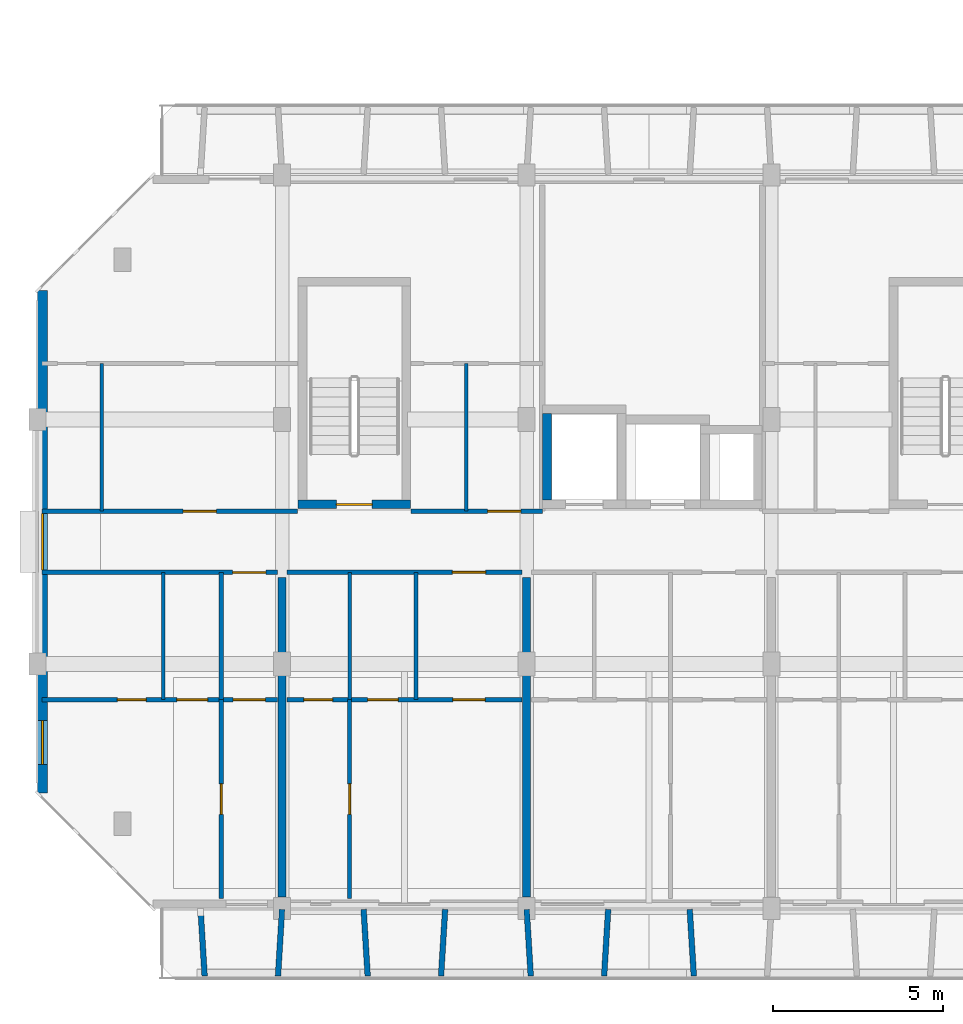
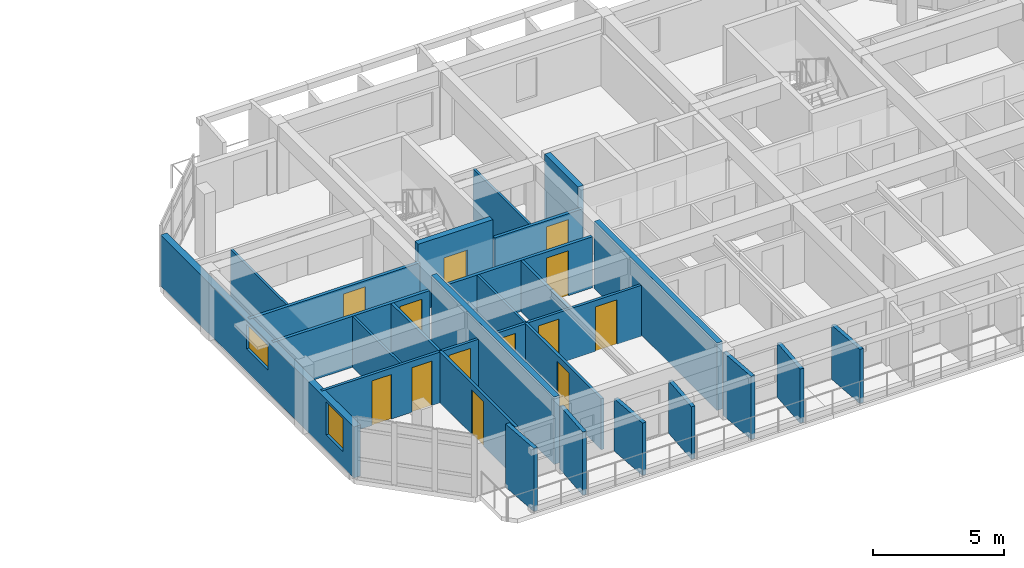
# One storey, part 14 of 43: 26 walls, 13 doors, 2 windows, 15 openings.
"""IFC4 building model written with IfcOpenShell, lengths in metres."""

from ifc_helpers import new_model, si_unit, direction, frame, frame_2d, origin, place, context, subcontext, project, spatial, rectangle, extrude, material, layer, layer_set, type_object, element, fill, save


model = new_model("IFC4")

# Units and contexts
model_context = context("Model", 3, precision=1e-05, world=origin(), true_north=direction((0.0, 1.0)))
body_context = subcontext(model_context, "Body", "Model", "MODEL_VIEW")
ifc_project = project(units=[si_unit("LENGTHUNIT", "METRE"), si_unit("AREAUNIT", "SQUARE_METRE"), si_unit("VOLUMEUNIT", "CUBIC_METRE"), si_unit("PLANEANGLEUNIT", "RADIAN"), si_unit("MASSUNIT", "GRAM", prefix="KILO")], contexts=[model_context])

# Site, building, storey
site_placement = place(None, origin())
site = spatial("IfcSite", under=ifc_project, at=site_placement, CompositionType="ELEMENT")
building_placement = place(site_placement, origin())
building = spatial("IfcBuilding", under=site, at=building_placement, Name="Ochrevale Crest", CompositionType="ELEMENT")
storey_placement = place(building_placement, frame((0.0, 0.0, 15.0)))
storey = spatial("IfcBuildingStorey", under=building, at=storey_placement, Name="L04", CompositionType="ELEMENT", Elevation=15.0)

# Wall, opening, door
ifc_material_1 = material(Name="Gypsum plasterboard", Category="gypsum")
ifc_layer_1 = layer(ifc_material_1, 0.139892578125)
ifc_layer_set_1 = layer_set([ifc_layer_1], Name="Gypsum plasterboard")
wall_type_1 = type_object("IfcWallType", Name="WL-COR-140", PredefinedType="PARTITIONING", material=ifc_layer_set_1)
wall_1_placement = place(storey_placement, frame((0.139892578125, 24.300048828125, 0.0), z_axis=(0.0, 0.0, 1.0), x_axis=(1.0, 0.0, 0.0)))
wall_1 = element("IfcWall", 1, at=wall_1_placement, inside=storey, type_object=wall_type_1, Name="Apartment A-L04-U1 corridor wall", PredefinedType="PARTITIONING", context=body_context, shape_type="SweptSolid", body=[
    extrude(rectangle(XDim=6.920166015625, YDim=0.139892578125, at=frame_2d((3.4599609375, 0.0))), origin(), (0.0, 0.0, 1.0), 2.3798828125),
])
opening_1_placement = place(wall_1_placement, frame((5.60498046875, 0.0, 0.0)))
opening_1 = element("IfcOpeningElement", 2, at=opening_1_placement, cuts=wall_1, Name="Opening FD01", PredefinedType="OPENING", context=body_context, shape_type="SweptSolid", body=[
    extrude(rectangle(XDim=0.97998046875, YDim=2.10009765625, at=frame_2d((0.489990234375, 1.050048828125))), frame((0.0, 0.080078125, 0.0), z_axis=(0.0, -1.0, 0.0), x_axis=(1.0, 0.0, 0.0)), (0.0, 0.0, 1.0), 0.159912109375),
])
ifc_material_2 = material(Name="Solid-core FSC hardwood", Category="wood")
door_type_1 = type_object("IfcDoorType", Name="DR-APT-950", OperationType="NOTDEFINED", PredefinedType="DOOR", material=ifc_material_2)
door_1_placement = place(opening_1_placement, origin())
door_1 = element("IfcDoor", 3, at=door_1_placement, inside=storey, type_object=door_type_1, Name="Apartment A-L04-U1 entrance door", OperationType="SINGLE_SWING_LEFT", OverallHeight=2.10009765625, OverallWidth=0.97998046875, PredefinedType="DOOR", context=body_context, shape_type="SweptSolid", body=[
    extrude(rectangle(XDim=0.97998046875, YDim=2.10009765625, at=frame_2d((0.489990234375, 1.050048828125))), frame((0.0, 0.02490234375, 0.0), z_axis=(0.0, -1.0, 0.0), x_axis=(1.0, 0.0, 0.0)), (0.0, 0.0, 1.0), 0.050048828125),
])
fill(opening_1, door_1)

wall_2_placement = place(storey_placement, frame((7.340087890625, 24.300048828125, 0.0), z_axis=(0.0, 0.0, 1.0), x_axis=(1.0, 0.0, 0.0)))
wall_2 = element("IfcWall", 4, at=wall_2_placement, inside=storey, type_object=wall_type_1, Name="Apartment A-L04-U2 corridor wall", PredefinedType="PARTITIONING", context=body_context, shape_type="SweptSolid", body=[
    extrude(rectangle(XDim=6.919921875, YDim=0.139892578125, at=frame_2d((3.4599609375, 0.0))), origin(), (0.0, 0.0, 1.0), 2.3798828125),
])
opening_2_placement = place(wall_2_placement, frame((5.85009765625, 0.0, 0.0), z_axis=(0.0, 0.0, 1.0), x_axis=(-1.0, 0.0, 0.0)))
opening_2 = element("IfcOpeningElement", 5, at=opening_2_placement, cuts=wall_2, Name="Opening FD01", PredefinedType="OPENING", context=body_context, shape_type="SweptSolid", body=[
    extrude(rectangle(XDim=0.97998046875, YDim=2.10009765625, at=frame_2d((0.489990234375, 1.050048828125))), frame((0.0, 0.080078125, 0.0), z_axis=(0.0, -1.0, 0.0), x_axis=(1.0, 0.0, 0.0)), (0.0, 0.0, 1.0), 0.159912109375),
])
door_2_placement = place(opening_2_placement, origin())
door_2 = element("IfcDoor", 6, at=door_2_placement, inside=storey, type_object=door_type_1, Name="Apartment A-L04-U2 entrance door", OperationType="SINGLE_SWING_RIGHT", OverallHeight=2.10009765625, OverallWidth=0.97998046875, PredefinedType="DOOR", context=body_context, shape_type="SweptSolid", body=[
    extrude(rectangle(XDim=0.97998046875, YDim=2.10009765625, at=frame_2d((0.489990234375, 1.050048828125))), frame((0.0, 0.02490234375, 0.0), z_axis=(0.0, -1.0, 0.0), x_axis=(1.0, 0.0, 0.0)), (0.0, 0.0, 1.0), 0.050048828125),
])
fill(opening_2, door_2)

wall_3_placement = place(storey_placement, frame((0.139892578125, 26.10009765625, 0.0), z_axis=(0.0, 0.0, 1.0), x_axis=(1.0, 0.0, 0.0)))
wall_3 = element("IfcWall", 7, at=wall_3_placement, inside=storey, type_object=wall_type_1, Name="Suite A-L04-CW corridor wall", PredefinedType="PARTITIONING", context=body_context, shape_type="SweptSolid", body=[
    extrude(rectangle(XDim=7.52001953125, YDim=0.139892578125, at=frame_2d((3.760009765625, 0.0))), origin(), (0.0, 0.0, 1.0), 2.3798828125),
])
opening_3_placement = place(wall_3_placement, frame((5.125, 0.0, 0.0), z_axis=(0.0, 0.0, 1.0), x_axis=(-1.0, 0.0, 0.0)))
opening_3 = element("IfcOpeningElement", 8, at=opening_3_placement, cuts=wall_3, Name="Opening FD01", PredefinedType="OPENING", context=body_context, shape_type="SweptSolid", body=[
    extrude(rectangle(XDim=0.97998046875, YDim=2.10009765625, at=frame_2d((0.489990234375, 1.050048828125))), frame((0.0, 0.080078125, 0.0), z_axis=(0.0, -1.0, 0.0), x_axis=(1.0, 0.0, 0.0)), (0.0, 0.0, 1.0), 0.159912109375),
])
door_3_placement = place(opening_3_placement, origin())
door_3 = element("IfcDoor", 9, at=door_3_placement, inside=storey, type_object=door_type_1, Name="Suite A-L04-CW entrance door", OperationType="SINGLE_SWING_RIGHT", OverallHeight=2.10009765625, OverallWidth=0.97998046875, PredefinedType="DOOR", context=body_context, shape_type="SweptSolid", body=[
    extrude(rectangle(XDim=0.97998046875, YDim=2.10009765625, at=frame_2d((0.489990234375, 1.050048828125))), frame((0.0, 0.02490234375, 0.0), z_axis=(0.0, -1.0, 0.0), x_axis=(1.0, 0.0, 0.0)), (0.0, 0.0, 1.0), 0.050048828125),
])
fill(opening_3, door_3)

wall_4_placement = place(storey_placement, frame((10.989990234375, 26.10009765625, 0.0), z_axis=(0.0, 0.0, 1.0), x_axis=(1.0, 0.0, 0.0)))
wall_4 = element("IfcWall", 10, at=wall_4_placement, inside=storey, type_object=wall_type_1, Name="Suite A-L04-MW corridor wall", PredefinedType="PARTITIONING", context=body_context, shape_type="SweptSolid", body=[
    extrude(rectangle(XDim=3.8701171875, YDim=0.139892578125, at=frame_2d((1.93505859375, 0.0))), origin(), (0.0, 0.0, 1.0), 2.3798828125),
])
opening_4_placement = place(wall_4_placement, frame((2.2578125, 0.0, 0.0)))
opening_4 = element("IfcOpeningElement", 11, at=opening_4_placement, cuts=wall_4, Name="Opening FD01", PredefinedType="OPENING", context=body_context, shape_type="SweptSolid", body=[
    extrude(rectangle(XDim=0.97998046875, YDim=2.10009765625, at=frame_2d((0.489990234375, 1.050048828125))), frame((0.0, 0.080078125, 0.0), z_axis=(0.0, -1.0, 0.0), x_axis=(1.0, 0.0, 0.0)), (0.0, 0.0, 1.0), 0.159912109375),
])
door_4_placement = place(opening_4_placement, origin())
door_4 = element("IfcDoor", 12, at=door_4_placement, inside=storey, type_object=door_type_1, Name="Suite A-L04-MW entrance door", OperationType="SINGLE_SWING_LEFT", OverallHeight=2.10009765625, OverallWidth=0.97998046875, PredefinedType="DOOR", context=body_context, shape_type="SweptSolid", body=[
    extrude(rectangle(XDim=0.97998046875, YDim=2.10009765625, at=frame_2d((0.489990234375, 1.050048828125))), frame((0.0, 0.02490234375, 0.0), z_axis=(0.0, -1.0, 0.0), x_axis=(1.0, 0.0, 0.0)), (0.0, 0.0, 1.0), 0.050048828125),
])
fill(opening_4, door_4)

ifc_material_3 = material(Name="Precast concrete C50/60", Category="concrete")
ifc_layer_2 = layer(ifc_material_3, 0.2548828125)
ifc_layer_set_2 = layer_set([ifc_layer_2], Name="Precast concrete C50/60")
wall_type_2 = type_object("IfcWallType", Name="WL-CORE-255", PredefinedType="SHEAR", material=ifc_layer_set_2)
wall_5_placement = place(storey_placement, frame((7.672607421875, 26.300048828125, 0.0), z_axis=(0.0, 0.0, 1.0), x_axis=(1.0, 0.0, 0.0)))
wall_5 = element("IfcWall", 13, at=wall_5_placement, inside=storey, type_object=wall_type_2, Name="Block A L04 Stair 1 precast core shear wall S", PredefinedType="SHEAR", context=body_context, shape_type="SweptSolid", body=[
    extrude(rectangle(XDim=3.304931640625, YDim=0.2548828125, at=frame_2d((1.65234375, 0.0))), origin(), (0.0, 0.0, 1.0), 3.14990234375),
])
opening_5_placement = place(wall_5_placement, frame((2.177490234375, 0.0, 0.0), z_axis=(0.0, 0.0, 1.0), x_axis=(-1.0, 0.0, 0.0)))
opening_5 = element("IfcOpeningElement", 14, at=opening_5_placement, cuts=wall_5, Name="Opening FD03", PredefinedType="OPENING", context=body_context, shape_type="SweptSolid", body=[
    extrude(rectangle(XDim=1.050048828125, YDim=2.1201171875, at=frame_2d((0.52490234375, 1.06005859375))), frame((0.0, 0.137451171875, 0.0), z_axis=(0.0, -1.0, 0.0), x_axis=(1.0, 0.0, 0.0)), (0.0, 0.0, 1.0), 0.27490234375),
])
door_type_2 = type_object("IfcDoorType", Name="DR-ST-1050", OperationType="NOTDEFINED", PredefinedType="DOOR", material=ifc_material_2)
door_5_placement = place(opening_5_placement, origin())
door_5 = element("IfcDoor", 15, at=door_5_placement, inside=storey, type_object=door_type_2, Name="Block A L04 fire stair 1 door", OperationType="SINGLE_SWING_RIGHT", OverallHeight=2.1201171875, OverallWidth=1.050048828125, PredefinedType="DOOR", context=body_context, shape_type="SweptSolid", body=[
    extrude(rectangle(XDim=1.050048828125, YDim=2.1201171875, at=frame_2d((0.52490234375, 1.06005859375))), frame((0.0, 0.02490234375, 0.0), z_axis=(0.0, -1.0, 0.0), x_axis=(1.0, 0.0, 0.0)), (0.0, 0.0, 1.0), 0.050048828125),
])
fill(opening_5, door_5)

# Wall
wall_6_placement = place(storey_placement, frame((15.0, 26.427490234375, 0.0), z_axis=(0.0, 0.0, 1.0), x_axis=(0.0, 1.0, 0.0)))
element("IfcWall", 16, at=wall_6_placement, inside=storey, type_object=wall_type_2, Name="Block A L04 Lift 1 precast shaft shear wall W", PredefinedType="SHEAR", context=body_context, shape_type="SweptSolid", body=[
    extrude(rectangle(XDim=2.544921875, YDim=0.2548828125, at=frame_2d((1.2724609375, 0.0))), origin(), (0.0, 0.0, 1.0), 3.14990234375),
])

# Wall, openings, windows
ifc_material_4 = material(Name="Clay face brickwork", Category="masonry")
ifc_layer_3 = layer(ifc_material_4, 0.2900390625)
ifc_layer_set_3 = layer_set([ifc_layer_3], Name="Clay face brickwork")
wall_type_3 = type_object("IfcWallType", Name="WL-EXT-BRICK-290", PredefinedType="SOLIDWALL", material=ifc_layer_set_3)
wall_7_placement = place(storey_placement, frame((0.14501953125, 32.60009765625, 0.0), z_axis=(0.0, 0.0, 1.0), x_axis=(0.0, -1.0, 0.0)))
wall_7 = element("IfcWall", 17, at=wall_7_placement, inside=storey, type_object=wall_type_3, Name="Block A L04 external facade wall E7", PredefinedType="SOLIDWALL", context=body_context, shape_type="SweptSolid", body=[
    extrude(rectangle(XDim=14.800048828125, YDim=0.2900390625, at=frame_2d((7.39990234375, 0.0))), origin(), (0.0, 0.0, 1.0), 2.3798828125),
])
opening_6_placement = place(wall_7_placement, frame((6.574951171875, 0.0, 1.050048828125)))
opening_6 = element("IfcOpeningElement", 18, at=opening_6_placement, cuts=wall_7, Name="Opening W19", PredefinedType="OPENING", context=body_context, shape_type="SweptSolid", body=[
    extrude(rectangle(XDim=1.64990234375, YDim=1.14990234375, at=frame_2d((0.824951171875, 0.574951171875))), frame((0.0, 0.155029296875, 0.0), z_axis=(0.0, -1.0, 0.0), x_axis=(1.0, 0.0, 0.0)), (0.0, 0.0, 1.0), 0.31005859375),
])
opening_7_placement = place(wall_7_placement, frame((12.659912109375, 0.0, 0.719970703125)))
opening_7 = element("IfcOpeningElement", 19, at=opening_7_placement, cuts=wall_7, Name="Opening W30", PredefinedType="OPENING", context=body_context, shape_type="SweptSolid", body=[
    extrude(rectangle(XDim=1.300048828125, YDim=1.550048828125, at=frame_2d((0.64990234375, 0.77490234375))), frame((0.0, 0.155029296875, 0.0), z_axis=(0.0, -1.0, 0.0), x_axis=(1.0, 0.0, 0.0)), (0.0, 0.0, 1.0), 0.31005859375),
])
ifc_material_5 = material(Name="Anodised aluminium 6063-T5 and low-E double glazing", Category="aluminium")
window_type_1 = type_object("IfcWindowType", Name="WIN-W19", PartitioningType="SINGLE_PANEL", PredefinedType="WINDOW", material=ifc_material_5)
window_1_placement = place(opening_6_placement, origin())
window_1 = element("IfcWindow", 20, at=window_1_placement, inside=storey, type_object=window_type_1, Name="Block A L04 corridor end daylight window W", OverallHeight=1.14990234375, OverallWidth=1.64990234375, PartitioningType="SINGLE_PANEL", PredefinedType="WINDOW", context=body_context, shape_type="SweptSolid", body=[
    extrude(rectangle(XDim=1.64990234375, YDim=1.14990234375, at=frame_2d((0.824951171875, 0.574951171875))), frame((0.0, 0.030029296875, 0.0), z_axis=(0.0, -1.0, 0.0), x_axis=(1.0, 0.0, 0.0)), (0.0, 0.0, 1.0), 0.06005859375),
])
fill(opening_6, window_1)
window_type_2 = type_object("IfcWindowType", Name="WIN-W30", PartitioningType="SINGLE_PANEL", PredefinedType="WINDOW", material=ifc_material_5)
window_2_placement = place(opening_7_placement, origin())
window_2 = element("IfcWindow", 21, at=window_2_placement, inside=storey, type_object=window_type_2, Name="Block A L04 side suite window W", OverallHeight=1.550048828125, OverallWidth=1.300048828125, PartitioningType="SINGLE_PANEL", PredefinedType="WINDOW", context=body_context, shape_type="SweptSolid", body=[
    extrude(rectangle(XDim=1.300048828125, YDim=1.550048828125, at=frame_2d((0.64990234375, 0.77490234375))), frame((0.0, 0.030029296875, 0.0), z_axis=(0.0, -1.0, 0.0), x_axis=(1.0, 0.0, 0.0)), (0.0, 0.0, 1.0), 0.06005859375),
])
fill(opening_7, window_2)

# Walls
ifc_material_6 = material(Name="Precast concrete C40/50", Category="concrete")
ifc_layer_4 = layer(ifc_material_6, 0.1650390625)
ifc_layer_set_4 = layer_set([ifc_layer_4], Name="Precast concrete C40/50")
wall_type_4 = type_object("IfcWallType", Name="WL-HC-CHEEK-165", PredefinedType="ELEMENTEDWALL", material=ifc_layer_set_4)
for number, where, z_axis, x_axis, name in (
    (22, (4.800048828125, 14.3798828125, 0.0), (0.0, 0.0, 1.0), (0.061046865508, -0.998134900808, 0.0), "Block A L04 S precast honeycomb cheek 1"),
    (23, (7.199951171875, 14.3798828125, 0.0), (0.0, 0.0, 1.0), (-0.061046865508, -0.998134900808, 0.0), "Block A L04 S precast honeycomb cheek 2"),
):
    element("IfcWall", number, at=place(storey_placement, frame(where, z_axis=z_axis, x_axis=x_axis)), inside=storey, type_object=wall_type_4, Name=name, PredefinedType="ELEMENTEDWALL", context=body_context, shape_type="SweptSolid", body=[
        extrude(rectangle(XDim=1.963623046875, YDim=0.1650390625, at=frame_2d((0.98193359375, 0.0))), origin(), (0.0, 0.0, 1.0), 2.949951171875),
    ])
for number, where, z_axis, x_axis, name in (
    (24, (9.60009765625, 14.3798828125, 0.0), (0.0, 0.0, 1.0), (0.061046865508, -0.998134900808, 0.0), "Block A L04 S precast honeycomb cheek 3"),
    (25, (12.0, 14.3798828125, 0.0), (0.0, 0.0, 1.0), (-0.061170732449, -0.998127317276, 0.0), "Block A L04 S precast honeycomb cheek 4"),
):
    element("IfcWall", number, at=place(storey_placement, frame(where, z_axis=z_axis, x_axis=x_axis)), inside=storey, type_object=wall_type_4, Name=name, PredefinedType="ELEMENTEDWALL", context=body_context, shape_type="SweptSolid", body=[
        extrude(rectangle(XDim=1.963623046875, YDim=0.1650390625, at=frame_2d((0.98193359375, 0.0))), origin(), (0.0, 0.0, 1.0), 2.449951171875),
    ])
wall_8_placement = place(storey_placement, frame((14.39990234375, 14.3798828125, 0.0), z_axis=(0.0, 0.0, 1.0), x_axis=(0.061170732449, -0.998127317276, 0.0)))
element("IfcWall", 26, at=wall_8_placement, inside=storey, type_object=wall_type_4, Name="Block A L04 S precast honeycomb cheek 5", PredefinedType="ELEMENTEDWALL", context=body_context, shape_type="SweptSolid", body=[
    extrude(rectangle(XDim=1.963623046875, YDim=0.1650390625, at=frame_2d((0.98193359375, 0.0))), origin(), (0.0, 0.0, 1.0), 2.949951171875),
])
for number, where, z_axis, x_axis, name in (
    (27, (16.800048828125, 14.3798828125, 0.0), (0.0, 0.0, 1.0), (-0.061170732449, -0.998127317276, 0.0), "Block A L04 S precast honeycomb cheek 6"),
    (28, (19.199951171875, 14.3798828125, 0.0), (0.0, 0.0, 1.0), (0.061170732449, -0.998127317276, 0.0), "Block A L04 S precast honeycomb cheek 7"),
):
    element("IfcWall", number, at=place(storey_placement, frame(where, z_axis=z_axis, x_axis=x_axis)), inside=storey, type_object=wall_type_4, Name=name, PredefinedType="ELEMENTEDWALL", context=body_context, shape_type="SweptSolid", body=[
        extrude(rectangle(XDim=1.963623046875, YDim=0.1650390625, at=frame_2d((0.98193359375, 0.0))), origin(), (0.0, 0.0, 1.0), 2.530029296875),
    ])
ifc_layer_5 = layer(ifc_material_1, 0.1201171875)
ifc_layer_set_5 = layer_set([ifc_layer_5], Name="Gypsum plasterboard")
wall_type_5 = type_object("IfcWallType", Name="WL-PART-120", PredefinedType="PARTITIONING", material=ifc_layer_set_5)
wall_9_placement = place(storey_placement, frame((5.409912109375, 20.550048828125, 0.0), z_axis=(0.0, 0.0, 1.0), x_axis=(0.0, 1.0, 0.0)))
element("IfcWall", 29, at=wall_9_placement, inside=storey, type_object=wall_type_5, Name="Apartment A-L04-U1 kitchen-foyer wall", PredefinedType="PARTITIONING", context=body_context, shape_type="SweptSolid", body=[
    extrude(rectangle(XDim=3.75, YDim=0.1201171875, at=frame_2d((1.875, 0.0))), origin(), (0.0, 0.0, 1.0), 2.375),
])

# Wall, openings, doors
wall_10_placement = place(storey_placement, frame((0.139892578125, 20.550048828125, 0.0), z_axis=(0.0, 0.0, 1.0), x_axis=(1.0, 0.0, 0.0)))
wall_10 = element("IfcWall", 30, at=wall_10_placement, inside=storey, type_object=wall_type_5, Name="Apartment A-L04-U1 central partition", PredefinedType="PARTITIONING", context=body_context, shape_type="SweptSolid", body=[
    extrude(rectangle(XDim=6.920166015625, YDim=0.1201171875, at=frame_2d((3.4599609375, 0.0))), origin(), (0.0, 0.0, 1.0), 2.3798828125),
])
opening_8_placement = place(wall_10_placement, frame((3.06005859375, 0.0, 0.0), z_axis=(0.0, 0.0, 1.0), x_axis=(-1.0, 0.0, 0.0)))
opening_8 = element("IfcOpeningElement", 31, at=opening_8_placement, cuts=wall_10, Name="Opening ID01", PredefinedType="OPENING", context=body_context, shape_type="SweptSolid", body=[
    extrude(rectangle(XDim=0.85009765625, YDim=2.080078125, at=frame_2d((0.425048828125, 1.0400390625))), frame((0.0, 0.070068359375, 0.0), z_axis=(0.0, -1.0, 0.0), x_axis=(1.0, 0.0, 0.0)), (0.0, 0.0, 1.0), 0.14013671875),
])
opening_9_placement = place(wall_10_placement, frame((3.965087890625, 0.0, 0.0)))
opening_9 = element("IfcOpeningElement", 32, at=opening_9_placement, cuts=wall_10, Name="Opening ID02", PredefinedType="OPENING", context=body_context, shape_type="SweptSolid", body=[
    extrude(rectangle(XDim=0.89990234375, YDim=2.080078125, at=frame_2d((0.449951171875, 1.0400390625))), frame((0.0, 0.070068359375, 0.0), z_axis=(0.0, -1.0, 0.0), x_axis=(1.0, 0.0, 0.0)), (0.0, 0.0, 1.0), 0.14013671875),
])
opening_10_placement = place(wall_10_placement, frame((6.570068359375, 0.0, 0.0), z_axis=(0.0, 0.0, 1.0), x_axis=(-1.0, 0.0, 0.0)))
opening_10 = element("IfcOpeningElement", 33, at=opening_10_placement, cuts=wall_10, Name="Opening ID06", PredefinedType="OPENING", context=body_context, shape_type="SweptSolid", body=[
    extrude(rectangle(XDim=0.949951171875, YDim=2.080078125, at=frame_2d((0.47509765625, 1.0400390625))), frame((0.0, 0.070068359375, 0.0), z_axis=(0.0, -1.0, 0.0), x_axis=(1.0, 0.0, 0.0)), (0.0, 0.0, 1.0), 0.14013671875),
])
door_type_3 = type_object("IfcDoorType", Name="DR-INT-900", OperationType="NOTDEFINED", PredefinedType="DOOR", material=ifc_material_2)
door_6_placement = place(opening_9_placement, origin())
door_6 = element("IfcDoor", 34, at=door_6_placement, inside=storey, type_object=door_type_3, Name="Apartment A-L04-U1 Kitchen door", OperationType="SINGLE_SWING_LEFT", OverallHeight=2.080078125, OverallWidth=0.89990234375, PredefinedType="DOOR", context=body_context, shape_type="SweptSolid", body=[
    extrude(rectangle(XDim=0.89990234375, YDim=2.080078125, at=frame_2d((0.449951171875, 1.0400390625))), frame((0.0, 0.02490234375, 0.0), z_axis=(0.0, -1.0, 0.0), x_axis=(1.0, 0.0, 0.0)), (0.0, 0.0, 1.0), 0.050048828125),
])
fill(opening_9, door_6)
door_type_4 = type_object("IfcDoorType", Name="DR-INT-950", OperationType="NOTDEFINED", PredefinedType="DOOR", material=ifc_material_2)
door_7_placement = place(opening_10_placement, origin())
door_7 = element("IfcDoor", 35, at=door_7_placement, inside=storey, type_object=door_type_4, Name="Apartment A-L04-U1 Living Foyer door", OperationType="SINGLE_SWING_RIGHT", OverallHeight=2.080078125, OverallWidth=0.949951171875, PredefinedType="DOOR", context=body_context, shape_type="SweptSolid", body=[
    extrude(rectangle(XDim=0.949951171875, YDim=2.080078125, at=frame_2d((0.47509765625, 1.0400390625))), frame((0.0, 0.02490234375, 0.0), z_axis=(0.0, -1.0, 0.0), x_axis=(1.0, 0.0, 0.0)), (0.0, 0.0, 1.0), 0.050048828125),
])
fill(opening_10, door_7)
door_type_5 = type_object("IfcDoorType", Name="DR-WC-850", OperationType="NOTDEFINED", PredefinedType="DOOR", material=ifc_material_2)
door_8_placement = place(opening_8_placement, origin())
door_8 = element("IfcDoor", 36, at=door_8_placement, inside=storey, type_object=door_type_5, Name="Apartment A-L04-U1 Bathroom door", OperationType="SINGLE_SWING_RIGHT", OverallHeight=2.080078125, OverallWidth=0.85009765625, PredefinedType="DOOR", context=body_context, shape_type="SweptSolid", body=[
    extrude(rectangle(XDim=0.85009765625, YDim=2.080078125, at=frame_2d((0.425048828125, 1.0400390625))), frame((0.0, 0.02490234375, 0.0), z_axis=(0.0, -1.0, 0.0), x_axis=(1.0, 0.0, 0.0)), (0.0, 0.0, 1.0), 0.050048828125),
])
fill(opening_8, door_8)

# Wall, opening, door
wall_11_placement = place(storey_placement, frame((5.409912109375, 14.699951171875, 0.0), z_axis=(0.0, 0.0, 1.0), x_axis=(0.0, 1.0, 0.0)))
wall_11 = element("IfcWall", 37, at=wall_11_placement, inside=storey, type_object=wall_type_5, Name="Apartment A-L04-U1 bedroom partition", PredefinedType="PARTITIONING", context=body_context, shape_type="SweptSolid", body=[
    extrude(rectangle(XDim=5.85009765625, YDim=0.1201171875, at=frame_2d((2.925048828125, 0.0))), origin(), (0.0, 0.0, 1.0), 2.3798828125),
])
opening_11_placement = place(wall_11_placement, frame((2.47509765625, 0.0, 0.0)))
opening_11 = element("IfcOpeningElement", 38, at=opening_11_placement, cuts=wall_11, Name="Opening ID02", PredefinedType="OPENING", context=body_context, shape_type="SweptSolid", body=[
    extrude(rectangle(XDim=0.89990234375, YDim=2.080078125, at=frame_2d((0.449951171875, 1.0400390625))), frame((0.0, 0.070068359375, 0.0), z_axis=(0.0, -1.0, 0.0), x_axis=(1.0, 0.0, 0.0)), (0.0, 0.0, 1.0), 0.14013671875),
])
door_9_placement = place(opening_11_placement, origin())
door_9 = element("IfcDoor", 39, at=door_9_placement, inside=storey, type_object=door_type_3, Name="Apartment A-L04-U1 Double Bedroom door", OperationType="SINGLE_SWING_LEFT", OverallHeight=2.080078125, OverallWidth=0.89990234375, PredefinedType="DOOR", context=body_context, shape_type="SweptSolid", body=[
    extrude(rectangle(XDim=0.89990234375, YDim=2.080078125, at=frame_2d((0.449951171875, 1.0400390625))), frame((0.0, 0.02490234375, 0.0), z_axis=(0.0, -1.0, 0.0), x_axis=(1.0, 0.0, 0.0)), (0.0, 0.0, 1.0), 0.050048828125),
])
fill(opening_11, door_9)

# Wall
wall_12_placement = place(storey_placement, frame((11.139892578125, 20.550048828125, 0.0), z_axis=(0.0, 0.0, 1.0), x_axis=(0.0, 1.0, 0.0)))
element("IfcWall", 40, at=wall_12_placement, inside=storey, type_object=wall_type_5, Name="Apartment A-L04-U2 kitchen-foyer wall", PredefinedType="PARTITIONING", context=body_context, shape_type="SweptSolid", body=[
    extrude(rectangle(XDim=3.75, YDim=0.1201171875, at=frame_2d((1.875, 0.0))), origin(), (0.0, 0.0, 1.0), 2.375),
])

# Wall, openings, doors
wall_13_placement = place(storey_placement, frame((7.340087890625, 20.550048828125, 0.0), z_axis=(0.0, 0.0, 1.0), x_axis=(1.0, 0.0, 0.0)))
wall_13 = element("IfcWall", 41, at=wall_13_placement, inside=storey, type_object=wall_type_5, Name="Apartment A-L04-U2 central partition", PredefinedType="PARTITIONING", context=body_context, shape_type="SweptSolid", body=[
    extrude(rectangle(XDim=6.919921875, YDim=0.1201171875, at=frame_2d((3.4599609375, 0.0))), origin(), (0.0, 0.0, 1.0), 2.3798828125),
])
opening_12_placement = place(wall_13_placement, frame((0.5, 0.0, 0.0)))
opening_12 = element("IfcOpeningElement", 42, at=opening_12_placement, cuts=wall_13, Name="Opening ID01", PredefinedType="OPENING", context=body_context, shape_type="SweptSolid", body=[
    extrude(rectangle(XDim=0.85009765625, YDim=2.080078125, at=frame_2d((0.425048828125, 1.0400390625))), frame((0.0, 0.070068359375, 0.0), z_axis=(0.0, -1.0, 0.0), x_axis=(1.0, 0.0, 0.0)), (0.0, 0.0, 1.0), 0.14013671875),
])
opening_13_placement = place(wall_13_placement, frame((3.27490234375, 0.0, 0.0), z_axis=(0.0, 0.0, 1.0), x_axis=(-1.0, 0.0, 0.0)))
opening_13 = element("IfcOpeningElement", 43, at=opening_13_placement, cuts=wall_13, Name="Opening ID02", PredefinedType="OPENING", context=body_context, shape_type="SweptSolid", body=[
    extrude(rectangle(XDim=0.89990234375, YDim=2.080078125, at=frame_2d((0.449951171875, 1.0400390625))), frame((0.0, 0.070068359375, 0.0), z_axis=(0.0, -1.0, 0.0), x_axis=(1.0, 0.0, 0.0)), (0.0, 0.0, 1.0), 0.14013671875),
])
opening_14_placement = place(wall_13_placement, frame((4.885009765625, 0.0, 0.0)))
opening_14 = element("IfcOpeningElement", 44, at=opening_14_placement, cuts=wall_13, Name="Opening ID06", PredefinedType="OPENING", context=body_context, shape_type="SweptSolid", body=[
    extrude(rectangle(XDim=0.949951171875, YDim=2.080078125, at=frame_2d((0.47509765625, 1.0400390625))), frame((0.0, 0.070068359375, 0.0), z_axis=(0.0, -1.0, 0.0), x_axis=(1.0, 0.0, 0.0)), (0.0, 0.0, 1.0), 0.14013671875),
])
door_10_placement = place(opening_13_placement, origin())
door_10 = element("IfcDoor", 45, at=door_10_placement, inside=storey, type_object=door_type_3, Name="Apartment A-L04-U2 Kitchen door", OperationType="SINGLE_SWING_RIGHT", OverallHeight=2.080078125, OverallWidth=0.89990234375, PredefinedType="DOOR", context=body_context, shape_type="SweptSolid", body=[
    extrude(rectangle(XDim=0.89990234375, YDim=2.080078125, at=frame_2d((0.449951171875, 1.0400390625))), frame((0.0, 0.02490234375, 0.0), z_axis=(0.0, -1.0, 0.0), x_axis=(1.0, 0.0, 0.0)), (0.0, 0.0, 1.0), 0.050048828125),
])
fill(opening_13, door_10)
door_11_placement = place(opening_14_placement, origin())
door_11 = element("IfcDoor", 46, at=door_11_placement, inside=storey, type_object=door_type_4, Name="Apartment A-L04-U2 Living Foyer door", OperationType="SINGLE_SWING_LEFT", OverallHeight=2.080078125, OverallWidth=0.949951171875, PredefinedType="DOOR", context=body_context, shape_type="SweptSolid", body=[
    extrude(rectangle(XDim=0.949951171875, YDim=2.080078125, at=frame_2d((0.47509765625, 1.0400390625))), frame((0.0, 0.02490234375, 0.0), z_axis=(0.0, -1.0, 0.0), x_axis=(1.0, 0.0, 0.0)), (0.0, 0.0, 1.0), 0.050048828125),
])
fill(opening_14, door_11)
door_12_placement = place(opening_12_placement, origin())
door_12 = element("IfcDoor", 47, at=door_12_placement, inside=storey, type_object=door_type_5, Name="Apartment A-L04-U2 Bathroom door", OperationType="SINGLE_SWING_LEFT", OverallHeight=2.080078125, OverallWidth=0.85009765625, PredefinedType="DOOR", context=body_context, shape_type="SweptSolid", body=[
    extrude(rectangle(XDim=0.85009765625, YDim=2.080078125, at=frame_2d((0.425048828125, 1.0400390625))), frame((0.0, 0.02490234375, 0.0), z_axis=(0.0, -1.0, 0.0), x_axis=(1.0, 0.0, 0.0)), (0.0, 0.0, 1.0), 0.050048828125),
])
fill(opening_12, door_12)

# Wall, opening, door
wall_14_placement = place(storey_placement, frame((9.18994140625, 14.699951171875, 0.0), z_axis=(0.0, 0.0, 1.0), x_axis=(0.0, 1.0, 0.0)))
wall_14 = element("IfcWall", 48, at=wall_14_placement, inside=storey, type_object=wall_type_5, Name="Apartment A-L04-U2 bedroom partition", PredefinedType="PARTITIONING", context=body_context, shape_type="SweptSolid", body=[
    extrude(rectangle(XDim=5.85009765625, YDim=0.1201171875, at=frame_2d((2.925048828125, 0.0))), origin(), (0.0, 0.0, 1.0), 2.3798828125),
])
opening_15_placement = place(wall_14_placement, frame((3.375, 0.0, 0.0), z_axis=(0.0, 0.0, 1.0), x_axis=(-1.0, 0.0, 0.0)))
opening_15 = element("IfcOpeningElement", 49, at=opening_15_placement, cuts=wall_14, Name="Opening ID02", PredefinedType="OPENING", context=body_context, shape_type="SweptSolid", body=[
    extrude(rectangle(XDim=0.89990234375, YDim=2.080078125, at=frame_2d((0.449951171875, 1.0400390625))), frame((0.0, 0.070068359375, 0.0), z_axis=(0.0, -1.0, 0.0), x_axis=(1.0, 0.0, 0.0)), (0.0, 0.0, 1.0), 0.14013671875),
])
door_13_placement = place(opening_15_placement, origin())
door_13 = element("IfcDoor", 50, at=door_13_placement, inside=storey, type_object=door_type_3, Name="Apartment A-L04-U2 Master Bedroom door", OperationType="SINGLE_SWING_RIGHT", OverallHeight=2.080078125, OverallWidth=0.89990234375, PredefinedType="DOOR", context=body_context, shape_type="SweptSolid", body=[
    extrude(rectangle(XDim=0.89990234375, YDim=2.080078125, at=frame_2d((0.449951171875, 1.0400390625))), frame((0.0, 0.02490234375, 0.0), z_axis=(0.0, -1.0, 0.0), x_axis=(1.0, 0.0, 0.0)), (0.0, 0.0, 1.0), 0.050048828125),
])
fill(opening_15, door_13)

# Walls
ifc_layer_6 = layer(ifc_material_3, 0.239990234375)
ifc_layer_set_6 = layer_set([ifc_layer_6], Name="Precast concrete C50/60")
wall_type_6 = type_object("IfcWallType", Name="WL-SHEAR-240", PredefinedType="SHEAR", material=ifc_layer_set_6)
for number, where, z_axis, x_axis, name in (
    (51, (7.199951171875, 14.75, 0.0), (0.0, 0.0, 1.0), (0.0, 1.0, 0.0), "Block A L04 load-bearing precast cross-wall X=7.2"),
    (52, (14.39990234375, 14.75, 0.0), (0.0, 0.0, 1.0), (0.0, 1.0, 0.0), "Block A L04 load-bearing precast cross-wall X=14.4"),
):
    element("IfcWall", number, at=place(storey_placement, frame(where, z_axis=z_axis, x_axis=x_axis)), inside=storey, type_object=wall_type_6, Name=name, PredefinedType="SHEAR", context=body_context, shape_type="SweptSolid", body=[
        extrude(rectangle(XDim=9.39990234375, YDim=0.239990234375, at=frame_2d((4.699951171875, 0.0))), origin(), (0.0, 0.0, 1.0), 3.14990234375),
    ])
ifc_layer_7 = layer(ifc_material_1, 0.10009765625)
ifc_layer_set_7 = layer_set([ifc_layer_7], Name="Gypsum plasterboard")
wall_type_7 = type_object("IfcWallType", Name="WL-WET-100", PredefinedType="PARTITIONING", material=ifc_layer_set_7)
for number, where, z_axis, x_axis, name in (
    (53, (3.699951171875, 20.550048828125, 0.0), (0.0, 0.0, 1.0), (0.0, 1.0, 0.0), "Apartment A-L04-U1 bath-kitchen wall"),
    (54, (9.18994140625, 20.550048828125, 0.0), (0.0, 0.0, 1.0), (0.0, 1.0, 0.0), "Apartment A-L04-U2 bath-kitchen wall"),
):
    element("IfcWall", number, at=place(storey_placement, frame(where, z_axis=z_axis, x_axis=x_axis)), inside=storey, type_object=wall_type_7, Name=name, PredefinedType="PARTITIONING", context=body_context, shape_type="SweptSolid", body=[
        extrude(rectangle(XDim=3.75, YDim=0.10009765625, at=frame_2d((1.875, 0.0))), origin(), (0.0, 0.0, 1.0), 2.375),
    ])
for number, where, z_axis, x_axis, name in (
    (55, (1.889892578125, 26.10009765625, 0.0), (0.0, 0.0, 1.0), (0.0, 1.0, 0.0), "Suite A-L04-CW bathroom divider"),
    (56, (12.615478515625, 26.10009765625, 0.0), (0.0, 0.0, 1.0), (0.0, 1.0, 0.0), "Suite A-L04-MW bathroom divider"),
):
    element("IfcWall", number, at=place(storey_placement, frame(where, z_axis=z_axis, x_axis=x_axis)), inside=storey, type_object=wall_type_7, Name=name, PredefinedType="PARTITIONING", context=body_context, shape_type="SweptSolid", body=[
        extrude(rectangle(XDim=4.349853515625, YDim=0.10009765625, at=frame_2d((2.1748046875, 0.0))), origin(), (0.0, 0.0, 1.0), 2.375),
    ])

save(model, "model.ifc")
